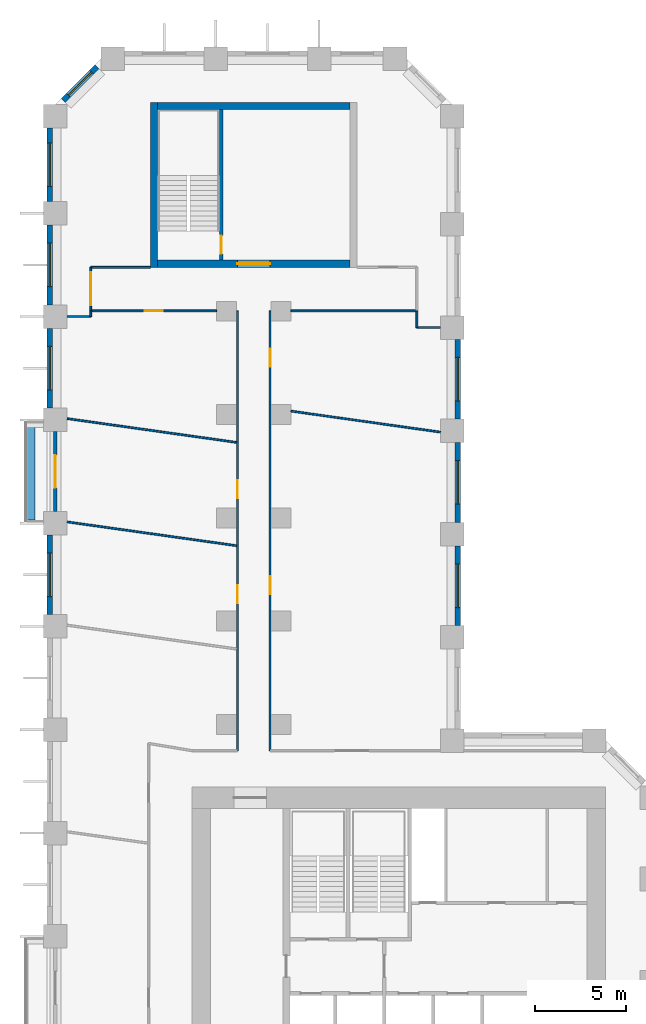
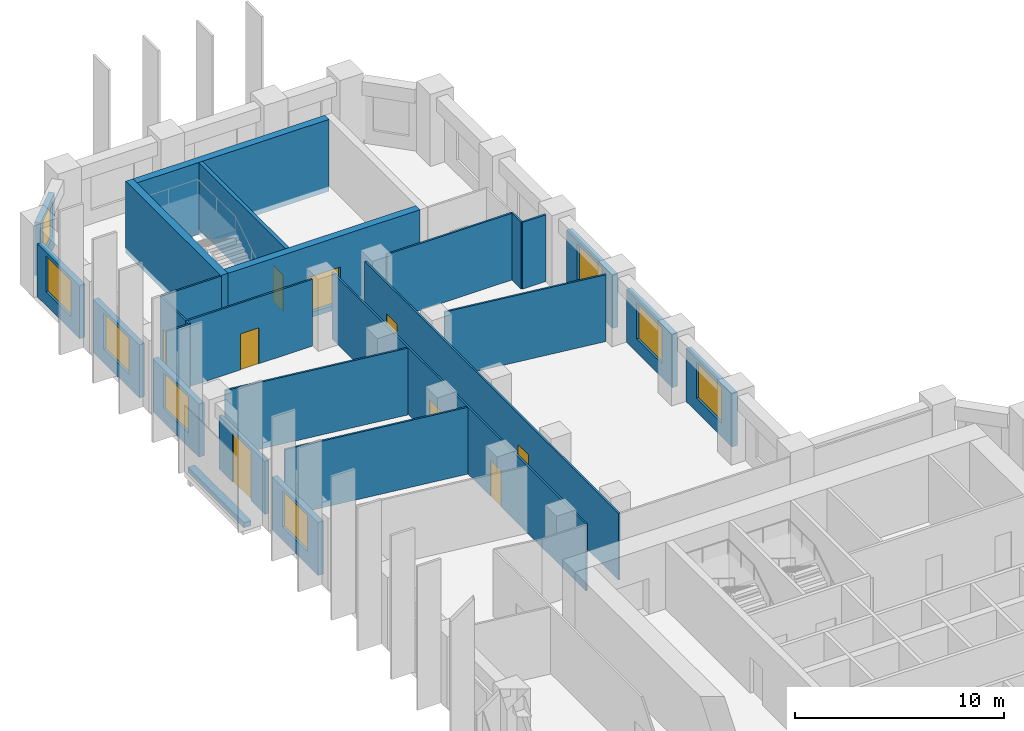
# One storey, part 8 of 11: 27 walls, 9 doors, 8 windows, 17 openings.
"""IFC4 building model written with IfcOpenShell, lengths in metres."""

from ifc_helpers import new_model, si_unit, direction, frame, frame_2d, origin, place, context, subcontext, project, spatial, rectangle, extrude, material, layer, layer_set, type_object, element, fill, save


model = new_model("IFC4")

# Units and contexts
model_context = context("Model", 3, precision=1e-05, world=origin(), true_north=direction((0.0, 1.0)))
body_context = subcontext(model_context, "Body", "Model", "MODEL_VIEW")
ifc_project = project(units=[si_unit("LENGTHUNIT", "METRE"), si_unit("AREAUNIT", "SQUARE_METRE"), si_unit("VOLUMEUNIT", "CUBIC_METRE"), si_unit("PLANEANGLEUNIT", "RADIAN"), si_unit("MASSUNIT", "GRAM", prefix="KILO")], contexts=[model_context])

# Site, building, storey
site_placement = place(None, origin())
site = spatial("IfcSite", under=ifc_project, at=site_placement, CompositionType="ELEMENT")
building_placement = place(site_placement, origin())
building = spatial("IfcBuilding", under=site, at=building_placement, Name="Meshkara Civic Tower", CompositionType="ELEMENT")
storey_placement = place(building_placement, frame((0.0, 0.0, 147.60009765625)))
storey = spatial("IfcBuildingStorey", under=building, at=storey_placement, Name="L33", CompositionType="ELEMENT", Elevation=147.60009765625)

# Wall, opening, door
ifc_material_1 = material(Name="Corridor wall 100")
ifc_layer_1 = layer(ifc_material_1, 0.10009765625)
ifc_layer_set_1 = layer_set([ifc_layer_1], Name="Corridor wall 100")
wall_type_1 = type_object("IfcWallType", Name="Corridor wall 100", PredefinedType="PARTITIONING", material=ifc_layer_set_1)
wall_1_placement = place(storey_placement, frame((2.39990234375, 63.169921875, 0.0), z_axis=(0.0, 0.0, 1.0), x_axis=(1.0, 0.0, 0.0)))
wall_1 = element("IfcWall", 1, at=wall_1_placement, inside=storey, type_object=wall_type_1, Name="L33-W001", PredefinedType="PARTITIONING", context=body_context, shape_type="SweptSolid", body=[
    extrude(rectangle(XDim=6.9501953125, YDim=0.10009765625, at=frame_2d((3.47509765625, 0.0))), origin(), (0.0, 0.0, 1.0), 3.89990234375),
])
opening_1_placement = place(wall_1_placement, frame((2.97998046875, 0.0, 0.0)))
opening_1 = element("IfcOpeningElement", 2, at=opening_1_placement, cuts=wall_1, Name="Opening L33-D024", PredefinedType="OPENING", context=body_context, shape_type="SweptSolid", body=[
    extrude(rectangle(XDim=1.0, YDim=2.10009765625, at=frame_2d((0.5, 1.050048828125))), frame((0.0, 0.06005859375, 0.0), z_axis=(0.0, -1.0, 0.0), x_axis=(1.0, 0.0, 0.0)), (0.0, 0.0, 1.0), 0.1201171875),
])
ifc_material_2 = material(Name="Door 1000 x 2100")
door_type_1 = type_object("IfcDoorType", Name="Door 1000 x 2100", OperationType="SINGLE_SWING_LEFT", PredefinedType="DOOR", material=ifc_material_2)
door_1_placement = place(opening_1_placement, origin())
door_1 = element("IfcDoor", 3, at=door_1_placement, inside=storey, type_object=door_type_1, Name="L33-D024", OperationType="SINGLE_SWING_LEFT", OverallHeight=2.10009765625, OverallWidth=1.0, PredefinedType="DOOR", context=body_context, shape_type="SweptSolid", body=[
    extrude(rectangle(XDim=1.0, YDim=2.10009765625, at=frame_2d((0.5, 1.050048828125))), frame((0.0, 0.02490234375, 0.0), z_axis=(0.0, -1.0, 0.0), x_axis=(1.0, 0.0, 0.0)), (0.0, 0.0, 1.0), 0.050048828125),
])
fill(opening_1, door_1)

wall_2_placement = place(storey_placement, frame((2.39990234375, 65.570068359375, 0.0), z_axis=(0.0, 0.0, 1.0), x_axis=(0.0, -1.0, 0.0)))
wall_2 = element("IfcWall", 4, at=wall_2_placement, inside=storey, type_object=wall_type_1, Name="L33-W002", PredefinedType="PARTITIONING", context=body_context, shape_type="SweptSolid", body=[
    extrude(rectangle(XDim=2.400146484375, YDim=0.10009765625, at=frame_2d((1.2001953125, 0.0))), origin(), (0.0, 0.0, 1.0), 3.89990234375),
])
opening_2_placement = place(wall_2_placement, frame((0.280029296875, 0.0, 0.0)))
opening_2 = element("IfcOpeningElement", 5, at=opening_2_placement, cuts=wall_2, Name="Opening L33-D023", PredefinedType="OPENING", context=body_context, shape_type="SweptSolid", body=[
    extrude(rectangle(XDim=1.800048828125, YDim=2.10009765625, at=frame_2d((0.89990234375, 1.050048828125))), frame((0.0, 0.06005859375, 0.0), z_axis=(0.0, -1.0, 0.0), x_axis=(1.0, 0.0, 0.0)), (0.0, 0.0, 1.0), 0.1201171875),
])
ifc_material_3 = material(Name="Door pair 1800 x 2100")
door_type_2 = type_object("IfcDoorType", Name="Door pair 1800 x 2100", OperationType="SINGLE_SWING_LEFT", PredefinedType="DOOR", material=ifc_material_3)
door_2_placement = place(opening_2_placement, origin())
door_2 = element("IfcDoor", 6, at=door_2_placement, inside=storey, type_object=door_type_2, Name="L33-D023", OperationType="DOUBLE_DOOR_SINGLE_SWING", OverallHeight=2.10009765625, OverallWidth=1.800048828125, PredefinedType="DOOR", context=body_context, shape_type="SweptSolid", body=[
    extrude(rectangle(XDim=1.800048828125, YDim=2.10009765625, at=frame_2d((0.89990234375, 1.050048828125))), frame((0.0, 0.02490234375, 0.0), z_axis=(0.0, -1.0, 0.0), x_axis=(1.0, 0.0, 0.0)), (0.0, 0.0, 1.0), 0.050048828125),
])
fill(opening_2, door_2)

# Wall
wall_3_placement = place(storey_placement, frame((5.699951171875, 65.570068359375, 0.0), z_axis=(0.0, 0.0, 1.0), x_axis=(-1.0, 0.0, 0.0)))
element("IfcWall", 7, at=wall_3_placement, inside=storey, type_object=wall_type_1, Name="L33-W005", PredefinedType="PARTITIONING", context=body_context, shape_type="SweptSolid", body=[
    extrude(rectangle(XDim=3.300048828125, YDim=0.10009765625, at=frame_2d((1.64990234375, 0.0))), origin(), (0.0, 0.0, 1.0), 3.89990234375),
])

# Wall, openings, doors
wall_4_placement = place(storey_placement, frame((10.5, 63.169921875, 0.0), z_axis=(0.0, 0.0, 1.0), x_axis=(0.0, -1.0, 0.0)))
wall_4 = element("IfcWall", 8, at=wall_4_placement, inside=storey, type_object=wall_type_1, Name="L33-W013", PredefinedType="PARTITIONING", context=body_context, shape_type="SweptSolid", body=[
    extrude(rectangle(XDim=24.27001953125, YDim=0.10009765625, at=frame_2d((12.135009765625, 0.0))), origin(), (0.0, 0.0, 1.0), 3.89990234375),
])
opening_3_placement = place(wall_4_placement, frame((15.137939453125, 0.0, 0.0)))
opening_3 = element("IfcOpeningElement", 9, at=opening_3_placement, cuts=wall_4, Name="Opening L33-D020", PredefinedType="OPENING", context=body_context, shape_type="SweptSolid", body=[
    extrude(rectangle(XDim=1.0, YDim=2.10009765625, at=frame_2d((0.5, 1.050048828125))), frame((0.0, 0.06005859375, 0.0), z_axis=(0.0, -1.0, 0.0), x_axis=(1.0, 0.0, 0.0)), (0.0, 0.0, 1.0), 0.1201171875),
])
opening_4_placement = place(wall_4_placement, frame((9.337890625, 0.0, 0.0)))
opening_4 = element("IfcOpeningElement", 10, at=opening_4_placement, cuts=wall_4, Name="Opening L33-D021", PredefinedType="OPENING", context=body_context, shape_type="SweptSolid", body=[
    extrude(rectangle(XDim=1.0, YDim=2.10009765625, at=frame_2d((0.5, 1.050048828125))), frame((0.0, 0.06005859375, 0.0), z_axis=(0.0, -1.0, 0.0), x_axis=(1.0, 0.0, 0.0)), (0.0, 0.0, 1.0), 0.1201171875),
])
door_3_placement = place(opening_3_placement, origin())
door_3 = element("IfcDoor", 11, at=door_3_placement, inside=storey, type_object=door_type_1, Name="L33-D020", OperationType="SINGLE_SWING_RIGHT", OverallHeight=2.10009765625, OverallWidth=1.0, PredefinedType="DOOR", context=body_context, shape_type="SweptSolid", body=[
    extrude(rectangle(XDim=1.0, YDim=2.10009765625, at=frame_2d((0.5, 1.050048828125))), frame((0.0, 0.02490234375, 0.0), z_axis=(0.0, -1.0, 0.0), x_axis=(1.0, 0.0, 0.0)), (0.0, 0.0, 1.0), 0.050048828125),
])
fill(opening_3, door_3)
door_4_placement = place(opening_4_placement, origin())
door_4 = element("IfcDoor", 12, at=door_4_placement, inside=storey, type_object=door_type_1, Name="L33-D021", OperationType="SINGLE_SWING_RIGHT", OverallHeight=2.10009765625, OverallWidth=1.0, PredefinedType="DOOR", context=body_context, shape_type="SweptSolid", body=[
    extrude(rectangle(XDim=1.0, YDim=2.10009765625, at=frame_2d((0.5, 1.050048828125))), frame((0.0, 0.02490234375, 0.0), z_axis=(0.0, -1.0, 0.0), x_axis=(1.0, 0.0, 0.0)), (0.0, 0.0, 1.0), 0.050048828125),
])
fill(opening_4, door_4)

wall_5_placement = place(storey_placement, frame((12.300048828125, 63.169921875, 0.0), z_axis=(0.0, 0.0, 1.0), x_axis=(0.0, -1.0, 0.0)))
wall_5 = element("IfcWall", 13, at=wall_5_placement, inside=storey, type_object=wall_type_1, Name="L33-W014", PredefinedType="PARTITIONING", context=body_context, shape_type="SweptSolid", body=[
    extrude(rectangle(XDim=24.27001953125, YDim=0.10009765625, at=frame_2d((12.135009765625, 0.0))), origin(), (0.0, 0.0, 1.0), 3.89990234375),
])
opening_5_placement = place(wall_5_placement, frame((14.64892578125, 0.0, 0.0)))
opening_5 = element("IfcOpeningElement", 14, at=opening_5_placement, cuts=wall_5, Name="Opening L33-D022", PredefinedType="OPENING", context=body_context, shape_type="SweptSolid", body=[
    extrude(rectangle(XDim=1.0, YDim=2.10009765625, at=frame_2d((0.5, 1.050048828125))), frame((0.0, 0.06005859375, 0.0), z_axis=(0.0, -1.0, 0.0), x_axis=(1.0, 0.0, 0.0)), (0.0, 0.0, 1.0), 0.1201171875),
])
opening_6_placement = place(wall_5_placement, frame((2.080078125, 0.0, 0.0)))
opening_6 = element("IfcOpeningElement", 15, at=opening_6_placement, cuts=wall_5, Name="Opening L33-D025", PredefinedType="OPENING", context=body_context, shape_type="SweptSolid", body=[
    extrude(rectangle(XDim=1.0, YDim=2.10009765625, at=frame_2d((0.5, 1.050048828125))), frame((0.0, 0.06005859375, 0.0), z_axis=(0.0, -1.0, 0.0), x_axis=(1.0, 0.0, 0.0)), (0.0, 0.0, 1.0), 0.1201171875),
])
door_5_placement = place(opening_5_placement, origin())
door_5 = element("IfcDoor", 16, at=door_5_placement, inside=storey, type_object=door_type_1, Name="L33-D022", OperationType="SINGLE_SWING_RIGHT", OverallHeight=2.10009765625, OverallWidth=1.0, PredefinedType="DOOR", context=body_context, shape_type="SweptSolid", body=[
    extrude(rectangle(XDim=1.0, YDim=2.10009765625, at=frame_2d((0.5, 1.050048828125))), frame((0.0, 0.02490234375, 0.0), z_axis=(0.0, -1.0, 0.0), x_axis=(1.0, 0.0, 0.0)), (0.0, 0.0, 1.0), 0.050048828125),
])
fill(opening_5, door_5)
door_6_placement = place(opening_6_placement, origin())
door_6 = element("IfcDoor", 17, at=door_6_placement, inside=storey, type_object=door_type_1, Name="L33-D025", OperationType="SINGLE_SWING_LEFT", OverallHeight=2.10009765625, OverallWidth=1.0, PredefinedType="DOOR", context=body_context, shape_type="SweptSolid", body=[
    extrude(rectangle(XDim=1.0, YDim=2.10009765625, at=frame_2d((0.5, 1.050048828125))), frame((0.0, 0.02490234375, 0.0), z_axis=(0.0, -1.0, 0.0), x_axis=(1.0, 0.0, 0.0)), (0.0, 0.0, 1.0), 0.050048828125),
])
fill(opening_6, door_6)

# Wall
wall_6_placement = place(storey_placement, frame((13.449951171875, 63.169921875, 0.0), z_axis=(0.0, 0.0, 1.0), x_axis=(1.0, 0.0, 0.0)))
element("IfcWall", 18, at=wall_6_placement, inside=storey, type_object=wall_type_1, Name="L33-W016", PredefinedType="PARTITIONING", context=body_context, shape_type="SweptSolid", body=[
    extrude(rectangle(XDim=6.949951171875, YDim=0.10009765625, at=frame_2d((3.47509765625, 0.0))), origin(), (0.0, 0.0, 1.0), 3.89990234375),
])

# Wall, opening, window
ifc_material_4 = material(Name="Insulated infill panel with bronze anodised aluminium cladding", Category="aluminium")
ifc_layer_2 = layer(ifc_material_4, 0.300048828125)
ifc_layer_set_2 = layer_set([ifc_layer_2], Name="EXTERNAL INFILL WALL 300")
wall_type_2 = type_object("IfcWallType", Name="EXTERNAL INFILL WALL 300", PredefinedType="SOLIDWALL", material=ifc_layer_set_2)
wall_7_placement = place(storey_placement, frame((22.64990234375, 45.800048828125, 0.0), z_axis=(0.0, 0.0, 1.0), x_axis=(0.0, 1.0, 0.0)))
wall_7 = element("IfcWall", 19, at=wall_7_placement, inside=storey, type_object=wall_type_2, Name="External wall", PredefinedType="SOLIDWALL", context=body_context, shape_type="SweptSolid", body=[
    extrude(rectangle(XDim=4.39990234375, YDim=0.300048828125, at=frame_2d((2.199951171875, 0.0))), origin(), (0.0, 0.0, 1.0), 3.099853515625),
])
opening_7_placement = place(wall_7_placement, frame((1.0, 0.0, 0.800048828125)))
opening_7 = element("IfcOpeningElement", 20, at=opening_7_placement, cuts=wall_7, Name="Opening W7", PredefinedType="OPENING", context=body_context, shape_type="SweptSolid", body=[
    extrude(rectangle(XDim=2.39990234375, YDim=2.10009765625, at=frame_2d((1.199951171875, 1.050048828125))), frame((0.0, 0.159912109375, 0.0), z_axis=(0.0, -1.0, 0.0), x_axis=(1.0, 0.0, 0.0)), (0.0, 0.0, 1.0), 0.320068359375),
])
ifc_material_5 = material(Name="Tinted double glazing", Category="glass")
window_type_1 = type_object("IfcWindowType", Name="WINDOW 2400x2100", PartitioningType="DOUBLE_PANEL_VERTICAL", PredefinedType="WINDOW", material=ifc_material_5)
window_1_placement = place(opening_7_placement, origin())
window_1 = element("IfcWindow", 21, at=window_1_placement, inside=storey, type_object=window_type_1, Name="Window", OverallHeight=2.10009765625, OverallWidth=2.39990234375, PartitioningType="DOUBLE_PANEL_VERTICAL", PredefinedType="WINDOW", context=body_context, shape_type="SweptSolid", body=[
    extrude(rectangle(XDim=2.39990234375, YDim=2.10009765625, at=frame_2d((1.199951171875, 1.050048828125))), frame((0.0, 0.030029296875, 0.0), z_axis=(0.0, -1.0, 0.0), x_axis=(1.0, 0.0, 0.0)), (0.0, 0.0, 1.0), 0.06005859375),
])
fill(opening_7, window_1)

wall_8_placement = place(storey_placement, frame((22.64990234375, 51.5, 0.0), z_axis=(0.0, 0.0, 1.0), x_axis=(0.0, 1.0, 0.0)))
wall_8 = element("IfcWall", 22, at=wall_8_placement, inside=storey, type_object=wall_type_2, Name="External wall", PredefinedType="SOLIDWALL", context=body_context, shape_type="SweptSolid", body=[
    extrude(rectangle(XDim=4.39990234375, YDim=0.300048828125, at=frame_2d((2.199951171875, 0.0))), origin(), (0.0, 0.0, 1.0), 3.099853515625),
])
opening_8_placement = place(wall_8_placement, frame((1.0, 0.0, 0.800048828125)))
opening_8 = element("IfcOpeningElement", 23, at=opening_8_placement, cuts=wall_8, Name="Opening W7", PredefinedType="OPENING", context=body_context, shape_type="SweptSolid", body=[
    extrude(rectangle(XDim=2.39990234375, YDim=2.10009765625, at=frame_2d((1.199951171875, 1.050048828125))), frame((0.0, 0.159912109375, 0.0), z_axis=(0.0, -1.0, 0.0), x_axis=(1.0, 0.0, 0.0)), (0.0, 0.0, 1.0), 0.320068359375),
])
window_2_placement = place(opening_8_placement, origin())
window_2 = element("IfcWindow", 24, at=window_2_placement, inside=storey, type_object=window_type_1, Name="Window", OverallHeight=2.10009765625, OverallWidth=2.39990234375, PartitioningType="DOUBLE_PANEL_VERTICAL", PredefinedType="WINDOW", context=body_context, shape_type="SweptSolid", body=[
    extrude(rectangle(XDim=2.39990234375, YDim=2.10009765625, at=frame_2d((1.199951171875, 1.050048828125))), frame((0.0, 0.030029296875, 0.0), z_axis=(0.0, -1.0, 0.0), x_axis=(1.0, 0.0, 0.0)), (0.0, 0.0, 1.0), 0.06005859375),
])
fill(opening_8, window_2)

wall_9_placement = place(storey_placement, frame((22.64990234375, 57.199951171875, 0.0), z_axis=(0.0, 0.0, 1.0), x_axis=(0.0, 1.0, 0.0)))
wall_9 = element("IfcWall", 25, at=wall_9_placement, inside=storey, type_object=wall_type_2, Name="External wall", PredefinedType="SOLIDWALL", context=body_context, shape_type="SweptSolid", body=[
    extrude(rectangle(XDim=4.400146484375, YDim=0.300048828125, at=frame_2d((2.2001953125, 0.0))), origin(), (0.0, 0.0, 1.0), 3.099853515625),
])
opening_9_placement = place(wall_9_placement, frame((1.0, 0.0, 0.800048828125)))
opening_9 = element("IfcOpeningElement", 26, at=opening_9_placement, cuts=wall_9, Name="Opening W7", PredefinedType="OPENING", context=body_context, shape_type="SweptSolid", body=[
    extrude(rectangle(XDim=2.39990234375, YDim=2.10009765625, at=frame_2d((1.199951171875, 1.050048828125))), frame((0.0, 0.159912109375, 0.0), z_axis=(0.0, -1.0, 0.0), x_axis=(1.0, 0.0, 0.0)), (0.0, 0.0, 1.0), 0.320068359375),
])
window_3_placement = place(opening_9_placement, origin())
window_3 = element("IfcWindow", 27, at=window_3_placement, inside=storey, type_object=window_type_1, Name="Window", OverallHeight=2.10009765625, OverallWidth=2.39990234375, PartitioningType="DOUBLE_PANEL_VERTICAL", PredefinedType="WINDOW", context=body_context, shape_type="SweptSolid", body=[
    extrude(rectangle(XDim=2.39990234375, YDim=2.10009765625, at=frame_2d((1.199951171875, 1.050048828125))), frame((0.0, 0.030029296875, 0.0), z_axis=(0.0, -1.0, 0.0), x_axis=(1.0, 0.0, 0.0)), (0.0, 0.0, 1.0), 0.06005859375),
])
fill(opening_9, window_3)

wall_10_placement = place(storey_placement, frame((2.743896484375, 76.632080078125, 0.0), z_axis=(0.0, 0.0, 1.0), x_axis=(-0.707060274772, -0.707153284542, 0.0)))
wall_10 = element("IfcWall", 28, at=wall_10_placement, inside=storey, type_object=wall_type_2, Name="External wall", PredefinedType="SOLIDWALL", context=body_context, shape_type="SweptSolid", body=[
    extrude(rectangle(XDim=2.625, YDim=0.300048828125, at=frame_2d((1.3125, 0.0))), origin(), (0.0, 0.0, 1.0), 3.099853515625),
])
opening_10_placement = place(wall_10_placement, frame((0.412109375, 0.0, 0.800048828125)))
opening_10 = element("IfcOpeningElement", 29, at=opening_10_placement, cuts=wall_10, Name="Opening W9", PredefinedType="OPENING", context=body_context, shape_type="SweptSolid", body=[
    extrude(rectangle(XDim=1.800048828125, YDim=2.10009765625, at=frame_2d((0.89990234375, 1.050048828125))), frame((0.0, 0.159912109375, 0.0), z_axis=(0.0, -1.0, 0.0), x_axis=(1.0, 0.0, 0.0)), (0.0, 0.0, 1.0), 0.320068359375),
])
ifc_material_6 = material(Name="Tinted double glazing", Category="glass")
window_type_2 = type_object("IfcWindowType", Name="WINDOW 1800x2100", PartitioningType="DOUBLE_PANEL_VERTICAL", PredefinedType="WINDOW", material=ifc_material_6)
window_4_placement = place(opening_10_placement, origin())
window_4 = element("IfcWindow", 30, at=window_4_placement, inside=storey, type_object=window_type_2, Name="Window", OverallHeight=2.10009765625, OverallWidth=1.800048828125, PartitioningType="DOUBLE_PANEL_VERTICAL", PredefinedType="WINDOW", context=body_context, shape_type="SweptSolid", body=[
    extrude(rectangle(XDim=1.800048828125, YDim=2.10009765625, at=frame_2d((0.89990234375, 1.050048828125))), frame((0.0, 0.030029296875, 0.0), z_axis=(0.0, -1.0, 0.0), x_axis=(1.0, 0.0, 0.0)), (0.0, 0.0, 1.0), 0.06005859375),
])
fill(opening_10, window_4)

wall_11_placement = place(storey_placement, frame((0.14990234375, 73.263916015625, 0.0), z_axis=(0.0, 0.0, 1.0), x_axis=(0.0, -1.0, 0.0)))
wall_11 = element("IfcWall", 31, at=wall_11_placement, inside=storey, type_object=wall_type_2, Name="External wall", PredefinedType="SOLIDWALL", context=body_context, shape_type="SweptSolid", body=[
    extrude(rectangle(XDim=4.058837890625, YDim=0.300048828125, at=frame_2d((2.029296875, 0.0))), origin(), (0.0, 0.0, 1.0), 3.099853515625),
])
opening_11_placement = place(wall_11_placement, frame((0.8291015625, 0.0, 0.800048828125)))
opening_11 = element("IfcOpeningElement", 32, at=opening_11_placement, cuts=wall_11, Name="Opening W7", PredefinedType="OPENING", context=body_context, shape_type="SweptSolid", body=[
    extrude(rectangle(XDim=2.39990234375, YDim=2.10009765625, at=frame_2d((1.199951171875, 1.050048828125))), frame((0.0, 0.159912109375, 0.0), z_axis=(0.0, -1.0, 0.0), x_axis=(1.0, 0.0, 0.0)), (0.0, 0.0, 1.0), 0.320068359375),
])
window_5_placement = place(opening_11_placement, origin())
window_5 = element("IfcWindow", 33, at=window_5_placement, inside=storey, type_object=window_type_1, Name="Window", OverallHeight=2.10009765625, OverallWidth=2.39990234375, PartitioningType="DOUBLE_PANEL_VERTICAL", PredefinedType="WINDOW", context=body_context, shape_type="SweptSolid", body=[
    extrude(rectangle(XDim=2.39990234375, YDim=2.10009765625, at=frame_2d((1.199951171875, 1.050048828125))), frame((0.0, 0.030029296875, 0.0), z_axis=(0.0, -1.0, 0.0), x_axis=(1.0, 0.0, 0.0)), (0.0, 0.0, 1.0), 0.06005859375),
])
fill(opening_11, window_5)

wall_12_placement = place(storey_placement, frame((0.14990234375, 67.905029296875, 0.0), z_axis=(0.0, 0.0, 1.0), x_axis=(0.0, -1.0, 0.0)))
wall_12 = element("IfcWall", 34, at=wall_12_placement, inside=storey, type_object=wall_type_2, Name="External wall", PredefinedType="SOLIDWALL", context=body_context, shape_type="SweptSolid", body=[
    extrude(rectangle(XDim=4.400146484375, YDim=0.300048828125, at=frame_2d((2.2001953125, 0.0))), origin(), (0.0, 0.0, 1.0), 3.099853515625),
])
opening_12_placement = place(wall_12_placement, frame((1.0, 0.0, 0.800048828125)))
opening_12 = element("IfcOpeningElement", 35, at=opening_12_placement, cuts=wall_12, Name="Opening W7", PredefinedType="OPENING", context=body_context, shape_type="SweptSolid", body=[
    extrude(rectangle(XDim=2.39990234375, YDim=2.10009765625, at=frame_2d((1.199951171875, 1.050048828125))), frame((0.0, 0.159912109375, 0.0), z_axis=(0.0, -1.0, 0.0), x_axis=(1.0, 0.0, 0.0)), (0.0, 0.0, 1.0), 0.320068359375),
])
window_6_placement = place(opening_12_placement, origin())
window_6 = element("IfcWindow", 36, at=window_6_placement, inside=storey, type_object=window_type_1, Name="Window", OverallHeight=2.10009765625, OverallWidth=2.39990234375, PartitioningType="DOUBLE_PANEL_VERTICAL", PredefinedType="WINDOW", context=body_context, shape_type="SweptSolid", body=[
    extrude(rectangle(XDim=2.39990234375, YDim=2.10009765625, at=frame_2d((1.199951171875, 1.050048828125))), frame((0.0, 0.030029296875, 0.0), z_axis=(0.0, -1.0, 0.0), x_axis=(1.0, 0.0, 0.0)), (0.0, 0.0, 1.0), 0.06005859375),
])
fill(opening_12, window_6)

wall_13_placement = place(storey_placement, frame((0.14990234375, 62.205078125, 0.0), z_axis=(0.0, 0.0, 1.0), x_axis=(0.0, -1.0, 0.0)))
wall_13 = element("IfcWall", 37, at=wall_13_placement, inside=storey, type_object=wall_type_2, Name="External wall", PredefinedType="SOLIDWALL", context=body_context, shape_type="SweptSolid", body=[
    extrude(rectangle(XDim=4.400146484375, YDim=0.300048828125, at=frame_2d((2.2001953125, 0.0))), origin(), (0.0, 0.0, 1.0), 3.099853515625),
])
opening_13_placement = place(wall_13_placement, frame((1.0, 0.0, 0.800048828125)))
opening_13 = element("IfcOpeningElement", 38, at=opening_13_placement, cuts=wall_13, Name="Opening W7", PredefinedType="OPENING", context=body_context, shape_type="SweptSolid", body=[
    extrude(rectangle(XDim=2.39990234375, YDim=2.10009765625, at=frame_2d((1.199951171875, 1.050048828125))), frame((0.0, 0.159912109375, 0.0), z_axis=(0.0, -1.0, 0.0), x_axis=(1.0, 0.0, 0.0)), (0.0, 0.0, 1.0), 0.320068359375),
])
window_7_placement = place(opening_13_placement, origin())
window_7 = element("IfcWindow", 39, at=window_7_placement, inside=storey, type_object=window_type_1, Name="Window", OverallHeight=2.10009765625, OverallWidth=2.39990234375, PartitioningType="DOUBLE_PANEL_VERTICAL", PredefinedType="WINDOW", context=body_context, shape_type="SweptSolid", body=[
    extrude(rectangle(XDim=2.39990234375, YDim=2.10009765625, at=frame_2d((1.199951171875, 1.050048828125))), frame((0.0, 0.030029296875, 0.0), z_axis=(0.0, -1.0, 0.0), x_axis=(1.0, 0.0, 0.0)), (0.0, 0.0, 1.0), 0.06005859375),
])
fill(opening_13, window_7)

wall_14_placement = place(storey_placement, frame((0.14990234375, 50.804931640625, 0.0), z_axis=(0.0, 0.0, 1.0), x_axis=(0.0, -1.0, 0.0)))
wall_14 = element("IfcWall", 40, at=wall_14_placement, inside=storey, type_object=wall_type_2, Name="External wall", PredefinedType="SOLIDWALL", context=body_context, shape_type="SweptSolid", body=[
    extrude(rectangle(XDim=4.39990234375, YDim=0.300048828125, at=frame_2d((2.199951171875, 0.0))), origin(), (0.0, 0.0, 1.0), 3.099853515625),
])
opening_14_placement = place(wall_14_placement, frame((1.0, 0.0, 0.800048828125)))
opening_14 = element("IfcOpeningElement", 41, at=opening_14_placement, cuts=wall_14, Name="Opening W7", PredefinedType="OPENING", context=body_context, shape_type="SweptSolid", body=[
    extrude(rectangle(XDim=2.39990234375, YDim=2.10009765625, at=frame_2d((1.199951171875, 1.050048828125))), frame((0.0, 0.159912109375, 0.0), z_axis=(0.0, -1.0, 0.0), x_axis=(1.0, 0.0, 0.0)), (0.0, 0.0, 1.0), 0.320068359375),
])
window_8_placement = place(opening_14_placement, origin())
window_8 = element("IfcWindow", 42, at=window_8_placement, inside=storey, type_object=window_type_1, Name="Window", OverallHeight=2.10009765625, OverallWidth=2.39990234375, PartitioningType="DOUBLE_PANEL_VERTICAL", PredefinedType="WINDOW", context=body_context, shape_type="SweptSolid", body=[
    extrude(rectangle(XDim=2.39990234375, YDim=2.10009765625, at=frame_2d((1.199951171875, 1.050048828125))), frame((0.0, 0.030029296875, 0.0), z_axis=(0.0, -1.0, 0.0), x_axis=(1.0, 0.0, 0.0)), (0.0, 0.0, 1.0), 0.06005859375),
])
fill(opening_14, window_8)

# Wall
ifc_material_7 = material(Name="Concrete C70", Category="concrete")
ifc_layer_3 = layer(ifc_material_7, 0.39990234375)
ifc_layer_set_3 = layer_set([ifc_layer_3], Name="End core ring wall 400 C70")
wall_type_3 = type_object("IfcWallType", Name="End core ring wall 400 C70", PredefinedType="SHEAR", material=ifc_layer_set_3)
wall_15_placement = place(storey_placement, frame((5.89990234375, 65.570068359375, -0.300048828125), z_axis=(0.0, 0.0, 1.0), x_axis=(0.0, 1.0, 0.0)))
element("IfcWall", 43, at=wall_15_placement, inside=storey, type_object=wall_type_3, Name="L33-C026", PredefinedType="SHEAR", context=body_context, shape_type="SweptSolid", body=[
    extrude(rectangle(XDim=9.099853515625, YDim=0.39990234375, at=frame_2d((4.5498046875, 0.0))), origin(), (0.0, 0.0, 1.0), 4.199951171875),
])

# Wall, opening, door
wall_16_placement = place(storey_placement, frame((6.10009765625, 65.77001953125, -0.300048828125), z_axis=(0.0, 0.0, 1.0), x_axis=(1.0, 0.0, 0.0)))
wall_16 = element("IfcWall", 44, at=wall_16_placement, inside=storey, type_object=wall_type_3, Name="L33-C028", PredefinedType="SHEAR", context=body_context, shape_type="SweptSolid", body=[
    extrude(rectangle(XDim=10.599853515625, YDim=0.39990234375, at=frame_2d((5.2998046875, 0.0))), origin(), (0.0, 0.0, 1.0), 4.199951171875),
])
opening_15_placement = place(wall_16_placement, frame((4.39990234375, 0.0, 0.300048828125)))
opening_15 = element("IfcOpeningElement", 45, at=opening_15_placement, cuts=wall_16, Name="Opening L33-K102", PredefinedType="OPENING", context=body_context, shape_type="SweptSolid", body=[
    extrude(rectangle(XDim=1.800048828125, YDim=2.10009765625, at=frame_2d((0.89990234375, 1.050048828125))), frame((0.0, 0.2099609375, 0.0), z_axis=(0.0, -1.0, 0.0), x_axis=(1.0, 0.0, 0.0)), (0.0, 0.0, 1.0), 0.419921875),
])
ifc_material_8 = material(Name="Fire-rated door leaf in steel frame", Category="steel")
door_type_3 = type_object("IfcDoorType", Name="Core double door 1800 EI 60", OperationType="DOUBLE_DOOR_SINGLE_SWING", PredefinedType="DOOR", material=ifc_material_8)
door_7_placement = place(opening_15_placement, origin())
door_7 = element("IfcDoor", 46, at=door_7_placement, inside=storey, type_object=door_type_3, Name="L33-K102", OperationType="DOUBLE_DOOR_SINGLE_SWING", OverallHeight=2.10009765625, OverallWidth=1.800048828125, PredefinedType="DOOR", context=body_context, shape_type="SweptSolid", body=[
    extrude(rectangle(XDim=1.800048828125, YDim=2.10009765625, at=frame_2d((0.89990234375, 1.050048828125))), frame((0.0, 0.02490234375, 0.0), z_axis=(0.0, -1.0, 0.0), x_axis=(1.0, 0.0, 0.0)), (0.0, 0.0, 1.0), 0.050048828125),
])
fill(opening_15, door_7)

# Wall
wall_17_placement = place(storey_placement, frame((6.10009765625, 74.469970703125, -0.300048828125), z_axis=(0.0, 0.0, 1.0), x_axis=(1.0, 0.0, 0.0)))
element("IfcWall", 47, at=wall_17_placement, inside=storey, type_object=wall_type_3, Name="L33-C029", PredefinedType="SHEAR", context=body_context, shape_type="SweptSolid", body=[
    extrude(rectangle(XDim=10.599853515625, YDim=0.39990234375, at=frame_2d((5.2998046875, 0.0))), origin(), (0.0, 0.0, 1.0), 4.199951171875),
])

# Wall, opening, door
ifc_material_9 = material(Name="Insulated infill panel with bronze anodised aluminium cladding", Category="aluminium")
ifc_layer_4 = layer(ifc_material_9, 0.199951171875)
ifc_layer_set_4 = layer_set([ifc_layer_4], Name="LOGGIA BACK WALL 200")
wall_type_4 = type_object("IfcWallType", Name="LOGGIA BACK WALL 200", PredefinedType="SOLIDWALL", material=ifc_layer_set_4)
wall_18_placement = place(storey_placement, frame((0.449951171875, 56.5048828125, 0.0), z_axis=(0.0, 0.0, 1.0), x_axis=(0.0, -1.0, 0.0)))
wall_18 = element("IfcWall", 48, at=wall_18_placement, inside=storey, type_object=wall_type_4, Name="Loggia wall", PredefinedType="SOLIDWALL", context=body_context, shape_type="SweptSolid", body=[
    extrude(rectangle(XDim=4.39990234375, YDim=0.199951171875, at=frame_2d((2.199951171875, 0.0))), origin(), (0.0, 0.0, 1.0), 3.099853515625),
])
opening_16_placement = place(wall_18_placement, frame((1.300048828125, 0.0, 0.0)))
opening_16 = element("IfcOpeningElement", 49, at=opening_16_placement, cuts=wall_18, Name="Opening L33-L001", PredefinedType="OPENING", context=body_context, shape_type="SweptSolid", body=[
    extrude(rectangle(XDim=1.800048828125, YDim=2.89990234375, at=frame_2d((0.89990234375, 1.449951171875))), frame((0.0, 0.10986328125, 0.0), z_axis=(0.0, -1.0, 0.0), x_axis=(1.0, 0.0, 0.0)), (0.0, 0.0, 1.0), 0.219970703125),
])
ifc_material_10 = material(Name="Tinted double glazing", Category="glass")
door_type_4 = type_object("IfcDoorType", Name="LOGGIA DOOR 1800x2900", OperationType="DOUBLE_DOOR_SINGLE_SWING", PredefinedType="DOOR", material=ifc_material_10)
door_8_placement = place(opening_16_placement, origin())
door_8 = element("IfcDoor", 50, at=door_8_placement, inside=storey, type_object=door_type_4, Name="L33-L001", OperationType="DOUBLE_DOOR_SINGLE_SWING", OverallHeight=2.89990234375, OverallWidth=1.800048828125, PredefinedType="DOOR", context=body_context, shape_type="SweptSolid", body=[
    extrude(rectangle(XDim=1.800048828125, YDim=2.89990234375, at=frame_2d((0.89990234375, 1.449951171875))), frame((0.0, 0.02490234375, 0.0), z_axis=(0.0, -1.0, 0.0), x_axis=(1.0, 0.0, 0.0)), (0.0, 0.0, 1.0), 0.050048828125),
])
fill(opening_16, door_8)

# Walls
ifc_material_11 = material(Name="Concrete C40", Category="concrete")
ifc_layer_5 = layer(ifc_material_11, 0.39990234375)
ifc_layer_set_5 = layer_set([ifc_layer_5], Name="PLANTER TRAY")
wall_type_5 = type_object("IfcWallType", Name="PLANTER TRAY", PredefinedType="SOLIDWALL", material=ifc_layer_set_5)
wall_19_placement = place(storey_placement, frame((-0.8798828125, 56.985107421875, 0.0), z_axis=(0.0, 0.0, 1.0), x_axis=(0.0, -1.0, 0.0)))
element("IfcWall", 51, at=wall_19_placement, inside=storey, type_object=wall_type_5, Name="Planter", PredefinedType="SOLIDWALL", context=body_context, shape_type="SweptSolid", body=[
    extrude(rectangle(XDim=5.360107421875, YDim=0.39990234375, at=frame_2d((2.68017578125, 0.0))), origin(), (0.0, 0.0, 1.0), 0.2998046875),
])
ifc_material_12 = material(Name="Partition 100")
ifc_layer_6 = layer(ifc_material_12, 0.10009765625)
ifc_layer_set_6 = layer_set([ifc_layer_6], Name="Partition 100")
wall_type_6 = type_object("IfcWallType", Name="Partition 100", PredefinedType="PARTITIONING", material=ifc_layer_set_6)
wall_20_placement = place(storey_placement, frame((2.39990234375, 62.85498046875, 0.0), z_axis=(0.0, 0.0, 1.0), x_axis=(-1.0, 0.0, 0.0)))
element("IfcWall", 52, at=wall_20_placement, inside=storey, type_object=wall_type_6, Name="L33-W030", PredefinedType="PARTITIONING", context=body_context, shape_type="SweptSolid", body=[
    extrude(rectangle(XDim=1.2998046875, YDim=0.10009765625, at=frame_2d((0.64990234375, 0.0))), origin(), (0.0, 0.0, 1.0), 3.89990234375),
])
wall_21_placement = place(storey_placement, frame((2.39990234375, 63.174072265625, 0.0), z_axis=(0.0, 0.0, 1.0), x_axis=(0.0, -1.0, 0.0)))
element("IfcWall", 53, at=wall_21_placement, inside=storey, type_object=wall_type_6, Name="L33-W031", PredefinedType="PARTITIONING", context=body_context, shape_type="SweptSolid", body=[
    extrude(rectangle(XDim=0.319091796875, YDim=0.10009765625, at=frame_2d((0.15966796875, 0.0))), origin(), (0.0, 0.0, 1.0), 3.89990234375),
])
for number, where, z_axis, x_axis, name in (
    (54, (10.443115234375, 50.2119140625, 0.0), (0.0, 0.0, 1.0), (-0.990255073415, 0.139265536207, 0.0), "L33-W037"),
    (55, (10.443115234375, 55.912109375, 0.0), (0.0, 0.0, 1.0), (-0.990255073415, 0.139265536207, 0.0), "L33-W038"),
):
    element("IfcWall", number, at=place(storey_placement, frame(where, z_axis=z_axis, x_axis=x_axis)), inside=storey, type_object=wall_type_6, Name=name, PredefinedType="PARTITIONING", context=body_context, shape_type="SweptSolid", body=[
        extrude(rectangle(XDim=9.43505859375, YDim=0.10009765625, at=frame_2d((4.717529296875, 0.0))), origin(), (0.0, 0.0, 1.0), 3.89990234375),
    ])
wall_22_placement = place(storey_placement, frame((20.39990234375, 62.25, 0.0), z_axis=(0.0, 0.0, 1.0), x_axis=(0.0, 1.0, 0.0)))
element("IfcWall", 56, at=wall_22_placement, inside=storey, type_object=wall_type_6, Name="L33-W044", PredefinedType="PARTITIONING", context=body_context, shape_type="SweptSolid", body=[
    extrude(rectangle(XDim=0.924072265625, YDim=0.10009765625, at=frame_2d((0.4619140625, 0.0))), origin(), (0.0, 0.0, 1.0), 3.89990234375),
])
wall_23_placement = place(storey_placement, frame((21.699951171875, 56.47900390625, 0.0), z_axis=(0.0, 0.0, 1.0), x_axis=(-0.990260619465, 0.139226095025, 0.0)))
element("IfcWall", 57, at=wall_23_placement, inside=storey, type_object=wall_type_6, Name="L33-W045", PredefinedType="PARTITIONING", context=body_context, shape_type="SweptSolid", body=[
    extrude(rectangle(XDim=8.3310546875, YDim=0.10009765625, at=frame_2d((4.16552734375, 0.0))), origin(), (0.0, 0.0, 1.0), 3.89990234375),
])
wall_24_placement = place(storey_placement, frame((21.699951171875, 62.25, 0.0), z_axis=(0.0, 0.0, 1.0), x_axis=(-1.0, 0.0, 0.0)))
element("IfcWall", 58, at=wall_24_placement, inside=storey, type_object=wall_type_6, Name="L33-W046", PredefinedType="PARTITIONING", context=body_context, shape_type="SweptSolid", body=[
    extrude(rectangle(XDim=1.300048828125, YDim=0.10009765625, at=frame_2d((0.64990234375, 0.0))), origin(), (0.0, 0.0, 1.0), 3.89990234375),
])

# Wall, opening, door
ifc_material_13 = material(Name="Concrete C40/50", Category="concrete")
ifc_layer_7 = layer(ifc_material_13, 0.199951171875)
ifc_layer_set_7 = layer_set([ifc_layer_7], Name="Stair enclosure wall 200 C40/50")
wall_type_7 = type_object("IfcWallType", Name="Stair enclosure wall 200 C40/50", PredefinedType="SOLIDWALL", material=ifc_layer_set_7)
wall_25_placement = place(storey_placement, frame((9.60009765625, 65.969970703125, 0.0), z_axis=(0.0, 0.0, 1.0), x_axis=(0.0, 1.0, 0.0)))
wall_25 = element("IfcWall", 59, at=wall_25_placement, inside=storey, type_object=wall_type_7, Name="L33-C030", PredefinedType="SOLIDWALL", context=body_context, shape_type="SweptSolid", body=[
    extrude(rectangle(XDim=8.300048828125, YDim=0.199951171875, at=frame_2d((4.14990234375, 0.0))), origin(), (0.0, 0.0, 1.0), 3.89990234375),
])
opening_17_placement = place(wall_25_placement, frame((0.35009765625, 0.0, 0.0)))
opening_17 = element("IfcOpeningElement", 60, at=opening_17_placement, cuts=wall_25, Name="Opening L33-K101", PredefinedType="OPENING", context=body_context, shape_type="SweptSolid", body=[
    extrude(rectangle(XDim=1.0, YDim=2.10009765625, at=frame_2d((0.5, 1.050048828125))), frame((0.0, 0.10986328125, 0.0), z_axis=(0.0, -1.0, 0.0), x_axis=(1.0, 0.0, 0.0)), (0.0, 0.0, 1.0), 0.219970703125),
])
ifc_material_14 = material(Name="Fire-rated door leaf in steel frame", Category="steel")
door_type_5 = type_object("IfcDoorType", Name="Stair door 1000 EI 120", OperationType="SINGLE_SWING_LEFT", PredefinedType="DOOR", material=ifc_material_14)
door_9_placement = place(opening_17_placement, origin())
door_9 = element("IfcDoor", 61, at=door_9_placement, inside=storey, type_object=door_type_5, Name="L33-K101", OperationType="SINGLE_SWING_RIGHT", OverallHeight=2.10009765625, OverallWidth=1.0, PredefinedType="DOOR", context=body_context, shape_type="SweptSolid", body=[
    extrude(rectangle(XDim=1.0, YDim=2.10009765625, at=frame_2d((0.5, 1.050048828125))), frame((0.0, 0.02490234375, 0.0), z_axis=(0.0, -1.0, 0.0), x_axis=(1.0, 0.0, 0.0)), (0.0, 0.0, 1.0), 0.050048828125),
])
fill(opening_17, door_9)

save(model, "model.ifc")
